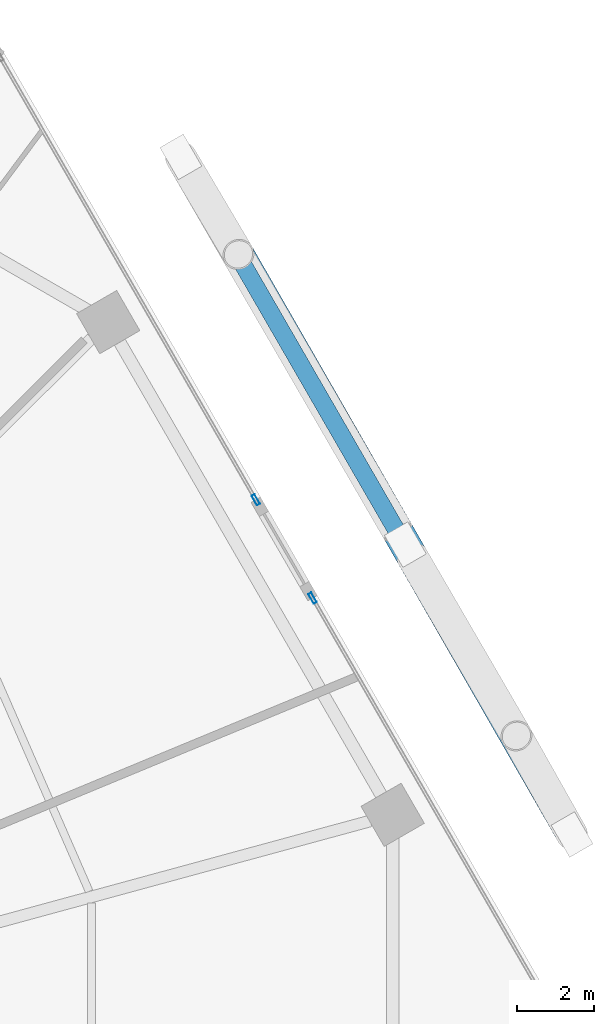
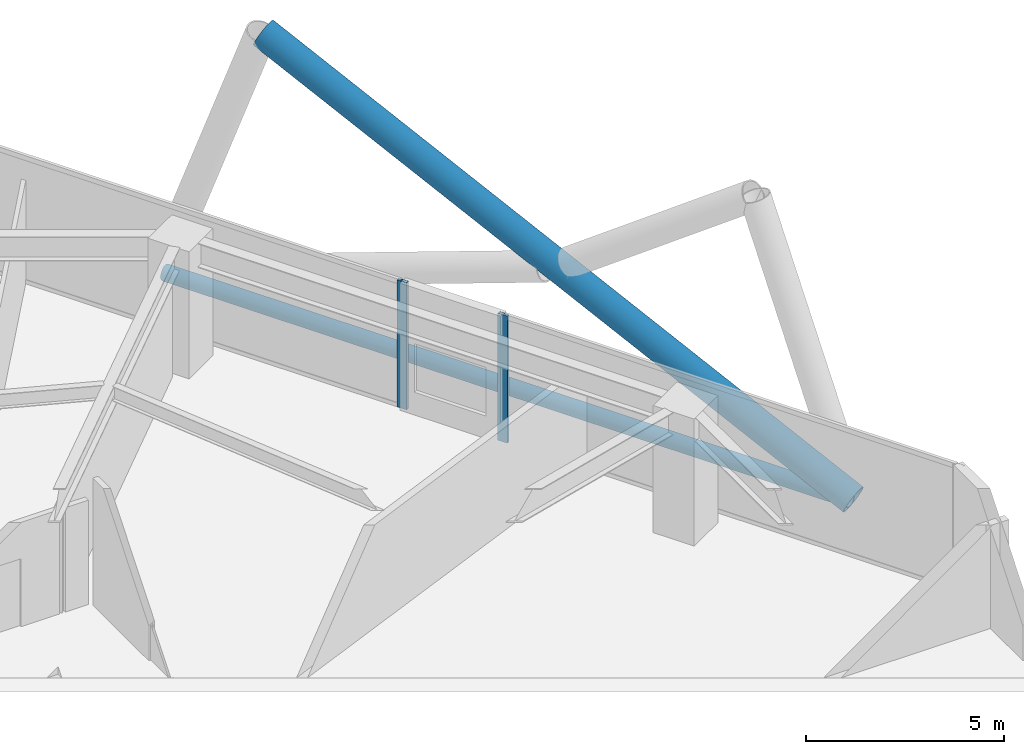
# One storey, part 19 of 28: 4 members, 2 elements without a shape of their own.
"""IFC4 building model written with IfcOpenShell, lengths in metres."""

from ifc_helpers import new_model, si_unit, direction, frame, origin, origin_2d, place, context, subcontext, project, spatial, hollow_rectangle, hollow_circle, extrude, material, material_profile, profile_set, type_object, element, aggregate, save


model = new_model("IFC4")

# Units and contexts
model_context = context("Model", 3, precision=1e-05, world=origin(), true_north=direction((0.0, 1.0)))
body_context = subcontext(model_context, "Body", "Model", "MODEL_VIEW")
ifc_project = project(units=[si_unit("LENGTHUNIT", "METRE"), si_unit("AREAUNIT", "SQUARE_METRE"), si_unit("VOLUMEUNIT", "CUBIC_METRE"), si_unit("PLANEANGLEUNIT", "RADIAN"), si_unit("MASSUNIT", "GRAM", prefix="KILO")], contexts=[model_context])

# Site, building, storey
site_placement = place(None, origin())
site = spatial("IfcSite", under=ifc_project, at=site_placement, CompositionType="ELEMENT")
building_placement = place(site_placement, origin())
building = spatial("IfcBuilding", under=site, at=building_placement, Name="Zuhravey Tower", CompositionType="ELEMENT")
storey_placement = place(building_placement, frame((0.0, 0.0, 75.0)))
storey = spatial("IfcBuildingStorey", under=building, at=storey_placement, Name="L18", CompositionType="ELEMENT", Elevation=75.0)

# Curtain wall, member
ifc_material_1 = material(Name="Thermally broken anodised aluminium", Category="aluminium")
curtain_wall_type = type_object("IfcCurtainWallType", Name="School Low-E Unitised Curtain Wall CW1", PredefinedType="NOTDEFINED", material=ifc_material_1)
curtain_wall_1_placement = place(storey_placement, origin())
curtain_wall_1 = element("IfcCurtainWall", 1, at=curtain_wall_1_placement, inside=storey, type_object=curtain_wall_type, Name="L18 CW1 CW-L18-F1-1", PredefinedType="NOTDEFINED")
ifc_material_2 = material(Name="Anodised aluminium", Category="aluminium")
ifc_material_profile_1 = material_profile(ifc_material_2, hollow_rectangle(XDim=0.090087890625, YDim=0.284912109375, WallThickness=0.0048828125, at=origin_2d()), Name="ALU-RHS-90x285x5")
ifc_profile_set_1 = profile_set([ifc_material_profile_1], Name="Anodised aluminium")
member_type_1 = type_object("IfcMemberType", Name="Curtain-Wall Mullion 90x180", PredefinedType="MULLION", material=ifc_profile_set_1)
member_1_placement = place(storey_placement, frame((60.34375, 47.752197265625, 0.0), z_axis=(0.0, 0.0, 1.0), x_axis=(0.866027830768, 0.499995796318, 0.0)))
member_1 = element("IfcMember", 2, at=member_1_placement, type_object=member_type_1, Name="CW1 mullion 2", PredefinedType="MULLION", context=body_context, shape_type="SweptSolid", body=[
    extrude(hollow_rectangle(XDim=0.090087890625, YDim=0.284912109375, WallThickness=0.0048828125, at=origin_2d()), origin(), (0.0, 0.0, 1.0), 3.919921875),
])
aggregate(curtain_wall_1, [member_1])

curtain_wall_2_placement = place(storey_placement, origin())
curtain_wall_2 = element("IfcCurtainWall", 3, at=curtain_wall_2_placement, inside=storey, type_object=curtain_wall_type, Name="L18 CW1 CW-L18-F1-2", PredefinedType="NOTDEFINED")
member_2_placement = place(storey_placement, frame((61.813720703125, 45.206298828125, 0.0), z_axis=(0.0, 0.0, 1.0), x_axis=(0.866024593191, 0.500001403986, 0.0)))
member_2 = element("IfcMember", 4, at=member_2_placement, type_object=member_type_1, Name="CW1 mullion 1", PredefinedType="MULLION", context=body_context, shape_type="SweptSolid", body=[
    extrude(hollow_rectangle(XDim=0.090087890625, YDim=0.284912109375, WallThickness=0.0048828125, at=origin_2d()), origin(), (0.0, 0.0, 1.0), 3.919921875),
])
aggregate(curtain_wall_2, [member_2])

# Members
ifc_material_3 = material(Name="Steel SM355", Category="steel")
ifc_material_profile_2 = material_profile(ifc_material_3, hollow_circle(Radius=0.228515625, WallThickness=0.02197265625, at=origin_2d()), Name="CHS-457.2x22")
ifc_profile_set_2 = profile_set([ifc_material_profile_2], Name="Steel SM355")
member_type_2 = type_object("IfcMemberType", Name="Exoskeleton Ring Tie CHS457x22", PredefinedType="CHORD", material=ifc_profile_set_2)
member_3_placement = place(storey_placement, frame((68.46728515625, 39.20166015625, -0.493896484375), z_axis=(-0.499987058157, 0.866032875632, 0.0), x_axis=(-0.866032875632, -0.499987058157, 0.0)))
element("IfcMember", 5, at=member_3_placement, inside=storey, type_object=member_type_2, Name="L18 Exoskeleton Face 1 Tie EXR1", PredefinedType="CHORD", context=body_context, shape_type="SweptSolid", body=[
    extrude(hollow_circle(Radius=0.228515625, WallThickness=0.02197265625, at=origin_2d()), origin(), (0.0, 0.0, 1.0), 19.99365234375),
])
ifc_material_4 = material(Name="Steel SM460", Category="steel")
ifc_material_profile_3 = material_profile(ifc_material_4, hollow_circle(Radius=0.406494140625, WallThickness=0.035888671875, at=origin_2d()), Name="CHS-812.8x36")
ifc_profile_set_3 = profile_set([ifc_material_profile_3], Name="Steel SM460")
member_type_3 = type_object("IfcMemberType", Name="Exoskeleton Zone 1 Diagrid CHS813x36", PredefinedType="BRACE", material=ifc_profile_set_3)
member_4_placement = place(storey_placement, frame((68.5146484375, 39.119873046875, -0.471923828125), z_axis=(-0.448582173106, 0.780090273761, 0.436157309642), x_axis=(-0.866891768768, -0.498496400431, 0.0)))
element("IfcMember", 6, at=member_4_placement, inside=storey, type_object=member_type_3, Name="L18 Face 1 Diagrid Brace 2", PredefinedType="BRACE", context=body_context, shape_type="SweptSolid", body=[
    extrude(hollow_circle(Radius=0.406494140625, WallThickness=0.035888671875, at=origin_2d()), origin(), (0.0, 0.0, 1.0), 19.158203125),
])

save(model, "model.ifc")
